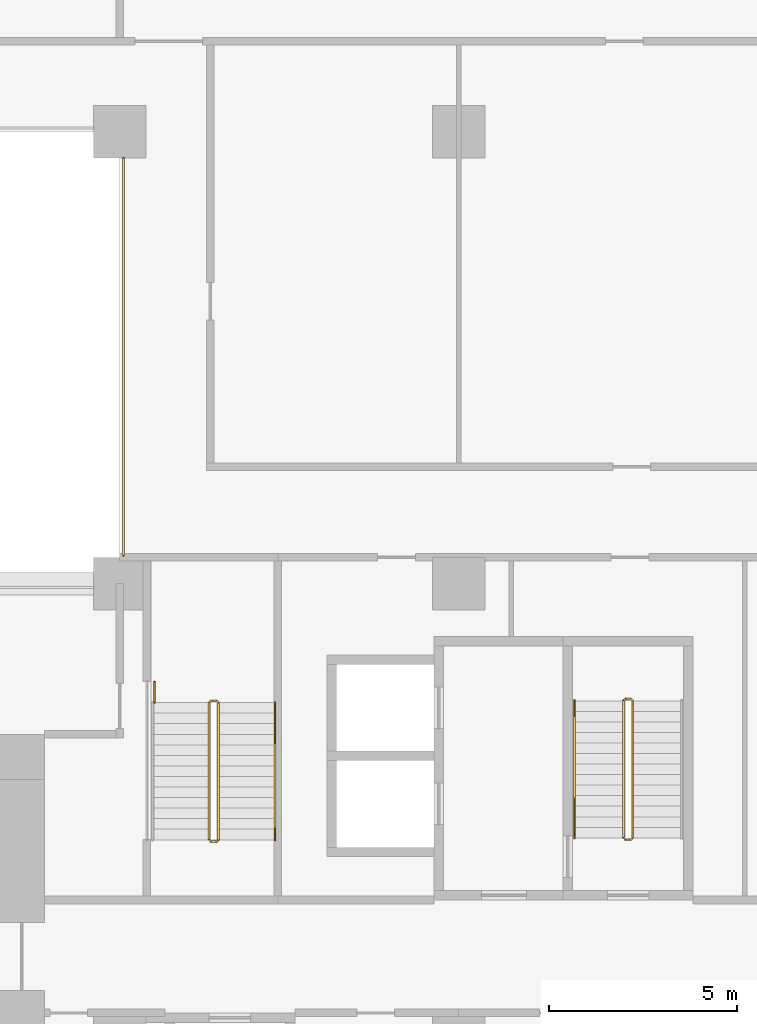
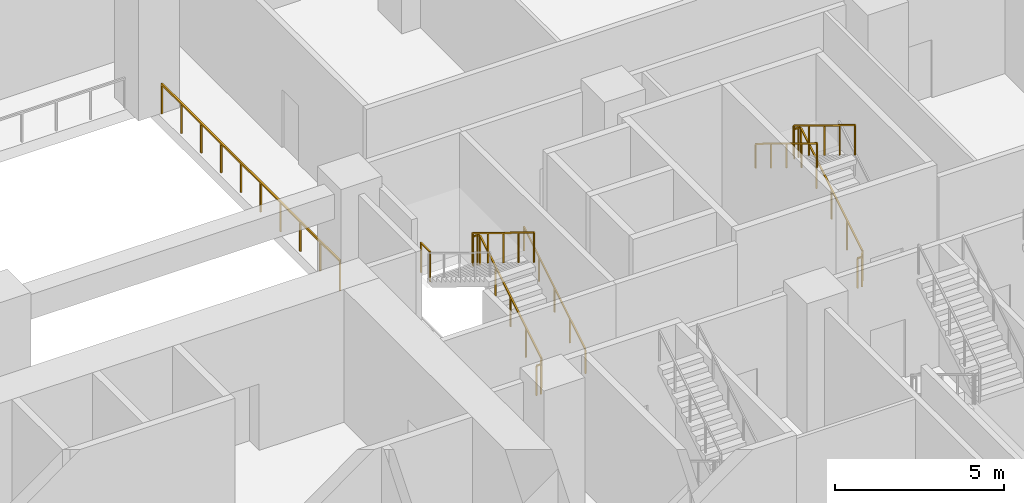
# One storey, part 28 of 31: 6 railings.
"""IFC4 building model written with IfcOpenShell, lengths in metres."""

from ifc_helpers import new_model, si_unit, direction, frame, origin, origin_2d, place, context, subcontext, project, spatial, rectangle, extrude, material, type_object, element, save


model = new_model("IFC4")

# Units and contexts
model_context = context("Model", 3, precision=1e-05, world=origin(), true_north=direction((0.0, 1.0)))
body_context = subcontext(model_context, "Body", "Model", "MODEL_VIEW")
ifc_project = project(units=[si_unit("LENGTHUNIT", "METRE"), si_unit("AREAUNIT", "SQUARE_METRE"), si_unit("VOLUMEUNIT", "CUBIC_METRE"), si_unit("PLANEANGLEUNIT", "RADIAN"), si_unit("MASSUNIT", "GRAM", prefix="KILO")], contexts=[model_context])

# Site, building, storey
site_placement = place(None, origin())
site = spatial("IfcSite", under=ifc_project, at=site_placement, CompositionType="ELEMENT")
building_placement = place(site_placement, origin())
building = spatial("IfcBuilding", under=site, at=building_placement, Name="Chenar Terraces", CompositionType="ELEMENT")
storey_placement = place(building_placement, frame((0.0, 0.0, 7.199951171875)))
storey = spatial("IfcBuildingStorey", under=building, at=storey_placement, Name="L01", CompositionType="ELEMENT", Elevation=7.199951171875)

# Railings
ifc_material_1 = material(Name="Powder-coated steel", Category="steel")
railing_type_1 = type_object("IfcRailingType", Name="Guard 1100 steel rail with glass infill", PredefinedType="GUARDRAIL", material=ifc_material_1)
railing_1_placement = place(storey_placement, frame((36.10009765625, 24.75, 0.0)))
element("IfcRailing", 1, at=railing_1_placement, inside=storey, type_object=railing_type_1, Name="Guard L01-3", PredefinedType="GUARDRAIL", context=body_context, shape_type="SweptSolid", body=[
    extrude(rectangle(XDim=0.06005859375, YDim=0.06005859375, at=origin_2d()), frame((0.0, 0.0, 1.070068359375), z_axis=(0.0, 1.0, 0.0), x_axis=(-1.0, 0.0, 0.0)), (0.0, 0.0, 1.0), 10.550048828125),
    extrude(rectangle(XDim=0.050048828125, YDim=0.050048828125, at=origin_2d()), origin(), (0.0, 0.0, 1.0), 1.0400390625),
    extrude(rectangle(XDim=0.050048828125, YDim=0.050048828125, at=origin_2d()), frame((0.0, 1.172119140625, 0.0)), (0.0, 0.0, 1.0), 1.0400390625),
    extrude(rectangle(XDim=0.050048828125, YDim=0.050048828125, at=origin_2d()), frame((0.0, 2.344482421875, 0.0)), (0.0, 0.0, 1.0), 1.0400390625),
    extrude(rectangle(XDim=0.050048828125, YDim=0.050048828125, at=origin_2d()), frame((0.0, 3.5166015625, 0.0)), (0.0, 0.0, 1.0), 1.0400390625),
    extrude(rectangle(XDim=0.050048828125, YDim=0.050048828125, at=origin_2d()), frame((0.0, 4.68896484375, 0.0)), (0.0, 0.0, 1.0), 1.0400390625),
    extrude(rectangle(XDim=0.050048828125, YDim=0.050048828125, at=origin_2d()), frame((0.0, 5.861083984375, 0.0)), (0.0, 0.0, 1.0), 1.0400390625),
    extrude(rectangle(XDim=0.050048828125, YDim=0.050048828125, at=origin_2d()), frame((0.0, 7.033447265625, 0.0)), (0.0, 0.0, 1.0), 1.0400390625),
    extrude(rectangle(XDim=0.050048828125, YDim=0.050048828125, at=origin_2d()), frame((0.0, 8.20556640625, 0.0)), (0.0, 0.0, 1.0), 1.0400390625),
    extrude(rectangle(XDim=0.050048828125, YDim=0.050048828125, at=origin_2d()), frame((0.0, 9.3779296875, 0.0)), (0.0, 0.0, 1.0), 1.0400390625),
    extrude(rectangle(XDim=0.050048828125, YDim=0.050048828125, at=origin_2d()), frame((0.0, 10.550048828125, 0.0)), (0.0, 0.0, 1.0), 1.0400390625),
])
ifc_material_2 = material(Name="Powder-coated steel", Category="steel")
railing_type_2 = type_object("IfcRailingType", Name="Stair guard 1100", PredefinedType="GUARDRAIL", material=ifc_material_2)
railing_2_placement = place(storey_placement, frame((49.375, 17.25, 4.800048828125)))
element("IfcRailing", 2, at=railing_2_placement, inside=storey, type_object=railing_type_2, Name="L01 ST3 stair guard 1", PredefinedType="GUARDRAIL", context=body_context, shape_type="SweptSolid", body=[
    extrude(rectangle(XDim=0.048095703125, YDim=0.048095703125, at=origin_2d()), frame((0.0, 0.0, 1.076171875), z_axis=(0.0, 0.852850264322, -0.5221555579), x_axis=(-1.0, 0.0, 0.0)), (0.0, 0.0, 1.0), 4.267822265625),
    extrude(rectangle(XDim=0.048095703125, YDim=0.048095703125, at=origin_2d()), frame((0.0, 3.639892578125, -1.15234375), z_axis=(0.269911200495, 0.269911200495, -0.924281281696), x_axis=(-0.707106781187, 0.707106781187, 0.0)), (0.0, 0.0, 1.0), 0.185546875),
    extrude(rectangle(XDim=0.048095703125, YDim=0.048095703125, at=origin_2d()), frame((0.050048828125, 3.68994140625, -1.32373046875), z_axis=(1.0, 0.0, 0.0), x_axis=(0.0, 1.0, 0.0)), (0.0, 0.0, 1.0), 0.14990234375),
    extrude(rectangle(XDim=0.048095703125, YDim=0.048095703125, at=origin_2d()), frame((0.199951171875, 3.68994140625, -1.32373046875), z_axis=(0.707106781187, -0.707106781187, 0.0), x_axis=(0.707106781187, 0.707106781187, 0.0)), (0.0, 0.0, 1.0), 0.07080078125),
    extrude(rectangle(XDim=0.048095703125, YDim=0.048095703125, at=origin_2d()), frame((0.25, 3.639892578125, -1.32373046875), z_axis=(0.0, -0.852824790078, -0.522197163366), x_axis=(1.0, 0.0, 0.0)), (0.0, 0.0, 1.0), 4.26806640625),
    extrude(rectangle(XDim=0.048095703125, YDim=0.048095703125, at=origin_2d()), frame((0.25, 0.0, -3.552734375), z_axis=(-0.269911200495, -0.269911200495, -0.924281281696), x_axis=(0.707106781187, -0.707106781187, 0.0)), (0.0, 0.0, 1.0), 0.185546875),
    extrude(rectangle(XDim=0.048095703125, YDim=0.048095703125, at=origin_2d()), frame((0.199951171875, -0.050048828125, -3.72412109375), z_axis=(-1.0, 0.0, 0.0), x_axis=(0.0, -1.0, 0.0)), (0.0, 0.0, 1.0), 0.14990234375),
    extrude(rectangle(XDim=0.0419921875, YDim=0.0419921875, at=origin_2d()), origin(), (0.0, 0.0, 1.0), 1.052001953125),
    extrude(rectangle(XDim=0.0419921875, YDim=0.0419921875, at=origin_2d()), frame((0.0, 0.909912109375, -0.55712890625)), (0.0, 0.0, 1.0), 1.052001953125),
    extrude(rectangle(XDim=0.0419921875, YDim=0.0419921875, at=origin_2d()), frame((0.0, 1.81982421875, -1.1142578125)), (0.0, 0.0, 1.0), 1.052001953125),
    extrude(rectangle(XDim=0.0419921875, YDim=0.0419921875, at=origin_2d()), frame((0.0, 2.72998046875, -1.67138671875)), (0.0, 0.0, 1.0), 1.052001953125),
    extrude(rectangle(XDim=0.0419921875, YDim=0.0419921875, at=origin_2d()), frame((0.0, 3.639892578125, -2.228515625)), (0.0, 0.0, 1.0), 1.052001953125),
    extrude(rectangle(XDim=0.0419921875, YDim=0.0419921875, at=origin_2d()), frame((0.050048828125, 3.68994140625, -2.39990234375)), (0.0, 0.0, 1.0), 1.052001953125),
    extrude(rectangle(XDim=0.0419921875, YDim=0.0419921875, at=origin_2d()), frame((0.199951171875, 3.68994140625, -2.39990234375)), (0.0, 0.0, 1.0), 1.052001953125),
    extrude(rectangle(XDim=0.0419921875, YDim=0.0419921875, at=origin_2d()), frame((0.25, 3.639892578125, -2.39990234375)), (0.0, 0.0, 1.0), 1.052001953125),
    extrude(rectangle(XDim=0.0419921875, YDim=0.0419921875, at=origin_2d()), frame((0.25, 2.72998046875, -2.95703125)), (0.0, 0.0, 1.0), 1.052001953125),
    extrude(rectangle(XDim=0.0419921875, YDim=0.0419921875, at=origin_2d()), frame((0.25, 1.81982421875, -3.51416015625)), (0.0, 0.0, 1.0), 1.052001953125),
    extrude(rectangle(XDim=0.0419921875, YDim=0.0419921875, at=origin_2d()), frame((0.25, 0.909912109375, -4.071533203125)), (0.0, 0.0, 1.0), 1.052001953125),
    extrude(rectangle(XDim=0.0419921875, YDim=0.0419921875, at=origin_2d()), frame((0.25, 0.0, -4.628662109375)), (0.0, 0.0, 1.0), 1.052001953125),
    extrude(rectangle(XDim=0.0419921875, YDim=0.0419921875, at=origin_2d()), frame((0.199951171875, -0.050048828125, -4.800048828125)), (0.0, 0.0, 1.0), 1.052001953125),
    extrude(rectangle(XDim=0.0419921875, YDim=0.0419921875, at=origin_2d()), frame((0.050048828125, -0.050048828125, -4.800048828125)), (0.0, 0.0, 1.0), 1.052001953125),
])
railing_3_placement = place(storey_placement, frame((38.375, 17.199951171875, 4.800048828125)))
element("IfcRailing", 3, at=railing_3_placement, inside=storey, type_object=railing_type_2, Name="L01 PS1 stair guard 1", PredefinedType="GUARDRAIL", context=body_context, shape_type="SweptSolid", body=[
    extrude(rectangle(XDim=0.048095703125, YDim=0.048095703125, at=origin_2d()), frame((0.0, 0.0, 1.076171875), z_axis=(0.0, 0.852865859571, -0.52213008492), x_axis=(-1.0, 0.0, 0.0)), (0.0, 0.0, 1.0), 4.26806640625),
    extrude(rectangle(XDim=0.048095703125, YDim=0.048095703125, at=origin_2d()), frame((0.0, 3.64013671875, -1.15234375), z_axis=(0.270006937388, 0.268689830376, -0.924609122178), x_axis=(-0.705375805398, 0.708833529934, 0.0)), (0.0, 0.0, 1.0), 0.185302734375),
    extrude(rectangle(XDim=0.048095703125, YDim=0.048095703125, at=origin_2d()), frame((0.050048828125, 3.68994140625, -1.32373046875), z_axis=(1.0, 0.0, 0.0), x_axis=(0.0, 1.0, 0.0)), (0.0, 0.0, 1.0), 0.14990234375),
    extrude(rectangle(XDim=0.048095703125, YDim=0.048095703125, at=origin_2d()), frame((0.199951171875, 3.68994140625, -1.32373046875), z_axis=(0.708833529934, -0.705375805398, 0.0), x_axis=(0.705375805398, 0.708833529934, 0.0)), (0.0, 0.0, 1.0), 0.070556640625),
    extrude(rectangle(XDim=0.048095703125, YDim=0.048095703125, at=origin_2d()), frame((0.25, 3.64013671875, -1.32373046875), z_axis=(0.0, -0.852840387347, -0.522171689878), x_axis=(1.0, 0.0, 0.0)), (0.0, 0.0, 1.0), 4.268310546875),
    extrude(rectangle(XDim=0.048095703125, YDim=0.048095703125, at=origin_2d()), frame((0.25, 0.0, -3.552734375), z_axis=(-0.269911200495, -0.269911200495, -0.924281281696), x_axis=(0.707106781187, -0.707106781187, 0.0)), (0.0, 0.0, 1.0), 0.185546875),
    extrude(rectangle(XDim=0.048095703125, YDim=0.048095703125, at=origin_2d()), frame((0.199951171875, -0.050048828125, -3.72412109375), z_axis=(-1.0, 0.0, 0.0), x_axis=(0.0, -1.0, 0.0)), (0.0, 0.0, 1.0), 0.14990234375),
    extrude(rectangle(XDim=0.0419921875, YDim=0.0419921875, at=origin_2d()), origin(), (0.0, 0.0, 1.0), 1.052001953125),
    extrude(rectangle(XDim=0.0419921875, YDim=0.0419921875, at=origin_2d()), frame((0.0, 0.91015625, -0.55712890625)), (0.0, 0.0, 1.0), 1.052001953125),
    extrude(rectangle(XDim=0.0419921875, YDim=0.0419921875, at=origin_2d()), frame((0.0, 1.820068359375, -1.1142578125)), (0.0, 0.0, 1.0), 1.052001953125),
    extrude(rectangle(XDim=0.0419921875, YDim=0.0419921875, at=origin_2d()), frame((0.0, 2.72998046875, -1.67138671875)), (0.0, 0.0, 1.0), 1.052001953125),
    extrude(rectangle(XDim=0.0419921875, YDim=0.0419921875, at=origin_2d()), frame((0.0, 3.64013671875, -2.228515625)), (0.0, 0.0, 1.0), 1.052001953125),
    extrude(rectangle(XDim=0.0419921875, YDim=0.0419921875, at=origin_2d()), frame((0.050048828125, 3.68994140625, -2.39990234375)), (0.0, 0.0, 1.0), 1.052001953125),
    extrude(rectangle(XDim=0.0419921875, YDim=0.0419921875, at=origin_2d()), frame((0.199951171875, 3.68994140625, -2.39990234375)), (0.0, 0.0, 1.0), 1.052001953125),
    extrude(rectangle(XDim=0.0419921875, YDim=0.0419921875, at=origin_2d()), frame((0.25, 3.64013671875, -2.39990234375)), (0.0, 0.0, 1.0), 1.052001953125),
    extrude(rectangle(XDim=0.0419921875, YDim=0.0419921875, at=origin_2d()), frame((0.25, 2.72998046875, -2.95703125)), (0.0, 0.0, 1.0), 1.052001953125),
    extrude(rectangle(XDim=0.0419921875, YDim=0.0419921875, at=origin_2d()), frame((0.25, 1.820068359375, -3.51416015625)), (0.0, 0.0, 1.0), 1.052001953125),
    extrude(rectangle(XDim=0.0419921875, YDim=0.0419921875, at=origin_2d()), frame((0.25, 0.91015625, -4.071533203125)), (0.0, 0.0, 1.0), 1.052001953125),
    extrude(rectangle(XDim=0.0419921875, YDim=0.0419921875, at=origin_2d()), frame((0.25, 0.0, -4.628662109375)), (0.0, 0.0, 1.0), 1.052001953125),
    extrude(rectangle(XDim=0.0419921875, YDim=0.0419921875, at=origin_2d()), frame((0.199951171875, -0.050048828125, -4.800048828125)), (0.0, 0.0, 1.0), 1.052001953125),
    extrude(rectangle(XDim=0.0419921875, YDim=0.0419921875, at=origin_2d()), frame((0.050048828125, -0.050048828125, -4.800048828125)), (0.0, 0.0, 1.0), 1.052001953125),
])
railing_4_placement = place(storey_placement, frame((36.925048828125, 20.840087890625, 2.400146484375)))
element("IfcRailing", 4, at=railing_4_placement, inside=storey, type_object=railing_type_2, Name="L01 PS1 stair guard 201", PredefinedType="GUARDRAIL", context=body_context, shape_type="SweptSolid", body=[
    extrude(rectangle(XDim=0.048095703125, YDim=0.048095703125, at=origin_2d()), frame((0.0, 0.0, 1.076171875), z_axis=(0.0, 1.0, 0.0), x_axis=(-1.0, 0.0, 0.0)), (0.0, 0.0, 1.0), 0.55126953125),
    extrude(rectangle(XDim=0.0419921875, YDim=0.0419921875, at=origin_2d()), origin(), (0.0, 0.0, 1.0), 1.052001953125),
    extrude(rectangle(XDim=0.0419921875, YDim=0.0419921875, at=origin_2d()), frame((0.0, 0.55126953125, 0.0)), (0.0, 0.0, 1.0), 1.052001953125),
])
ifc_material_3 = material(Name="Powder-coated steel", Category="steel")
railing_type_3 = type_object("IfcRailingType", Name="Stair handrail 900", PredefinedType="HANDRAIL", material=ifc_material_3)
railing_5_placement = place(storey_placement, frame((48.074951171875, 20.889892578125, 2.571533203125)))
element("IfcRailing", 5, at=railing_5_placement, inside=storey, type_object=railing_type_3, Name="L01 ST3 stair handrail 2", PredefinedType="HANDRAIL", context=body_context, shape_type="SweptSolid", body=[
    extrude(rectangle(XDim=0.048095703125, YDim=0.048095703125, at=origin_2d()), frame((0.0, 0.0, 0.8759765625), z_axis=(0.0, -0.852850264322, 0.5221555579), x_axis=(1.0, 0.0, 0.0)), (0.0, 0.0, 1.0), 4.267822265625),
    extrude(rectangle(XDim=0.0419921875, YDim=0.0419921875, at=origin_2d()), origin(), (0.0, 0.0, 1.0), 0.851806640625),
    extrude(rectangle(XDim=0.0419921875, YDim=0.0419921875, at=origin_2d()), frame((0.0, -0.909912109375, 0.55712890625)), (0.0, 0.0, 1.0), 0.851806640625),
    extrude(rectangle(XDim=0.0419921875, YDim=0.0419921875, at=origin_2d()), frame((0.0, -1.81982421875, 1.1142578125)), (0.0, 0.0, 1.0), 0.851806640625),
    extrude(rectangle(XDim=0.0419921875, YDim=0.0419921875, at=origin_2d()), frame((0.0, -2.72998046875, 1.67138671875)), (0.0, 0.0, 1.0), 0.851806640625),
    extrude(rectangle(XDim=0.0419921875, YDim=0.0419921875, at=origin_2d()), frame((0.0, -3.639892578125, 2.228515625)), (0.0, 0.0, 1.0), 0.851806640625),
])
railing_6_placement = place(storey_placement, frame((40.125, 17.199951171875, 0.17138671875)))
element("IfcRailing", 6, at=railing_6_placement, inside=storey, type_object=railing_type_3, Name="L01 PS1 stair handrail 1", PredefinedType="HANDRAIL", context=body_context, shape_type="SweptSolid", body=[
    extrude(rectangle(XDim=0.048095703125, YDim=0.048095703125, at=origin_2d()), frame((0.0, 0.0, 0.8759765625), z_axis=(0.0, 0.852840387347, 0.522171689878), x_axis=(-1.0, 0.0, 0.0)), (0.0, 0.0, 1.0), 4.268310546875),
    extrude(rectangle(XDim=0.0419921875, YDim=0.0419921875, at=origin_2d()), origin(), (0.0, 0.0, 1.0), 0.851806640625),
    extrude(rectangle(XDim=0.0419921875, YDim=0.0419921875, at=origin_2d()), frame((0.0, 0.91015625, 0.55712890625)), (0.0, 0.0, 1.0), 0.851806640625),
    extrude(rectangle(XDim=0.0419921875, YDim=0.0419921875, at=origin_2d()), frame((0.0, 1.820068359375, 1.1142578125)), (0.0, 0.0, 1.0), 0.851806640625),
    extrude(rectangle(XDim=0.0419921875, YDim=0.0419921875, at=origin_2d()), frame((0.0, 2.72998046875, 1.671630859375)), (0.0, 0.0, 1.0), 0.851806640625),
    extrude(rectangle(XDim=0.0419921875, YDim=0.0419921875, at=origin_2d()), frame((0.0, 3.64013671875, 2.228759765625)), (0.0, 0.0, 1.0), 0.851806640625),
])

save(model, "model.ifc")
